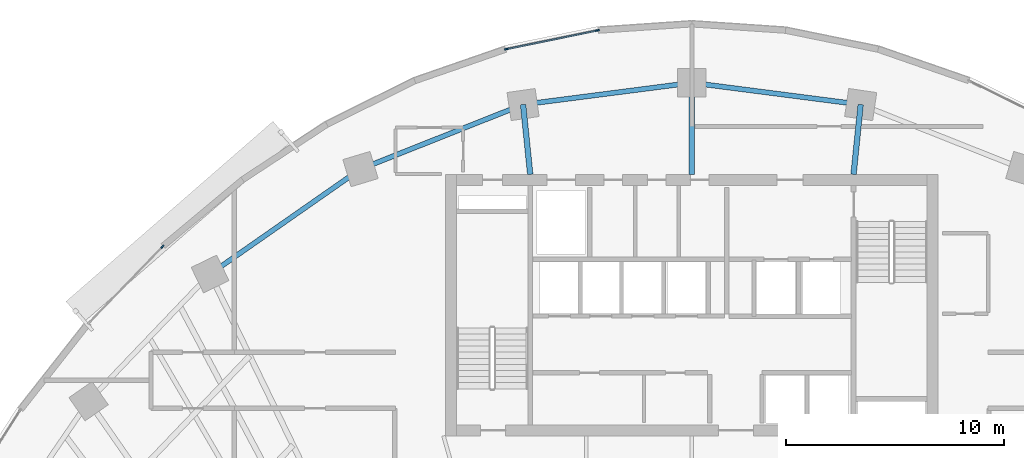
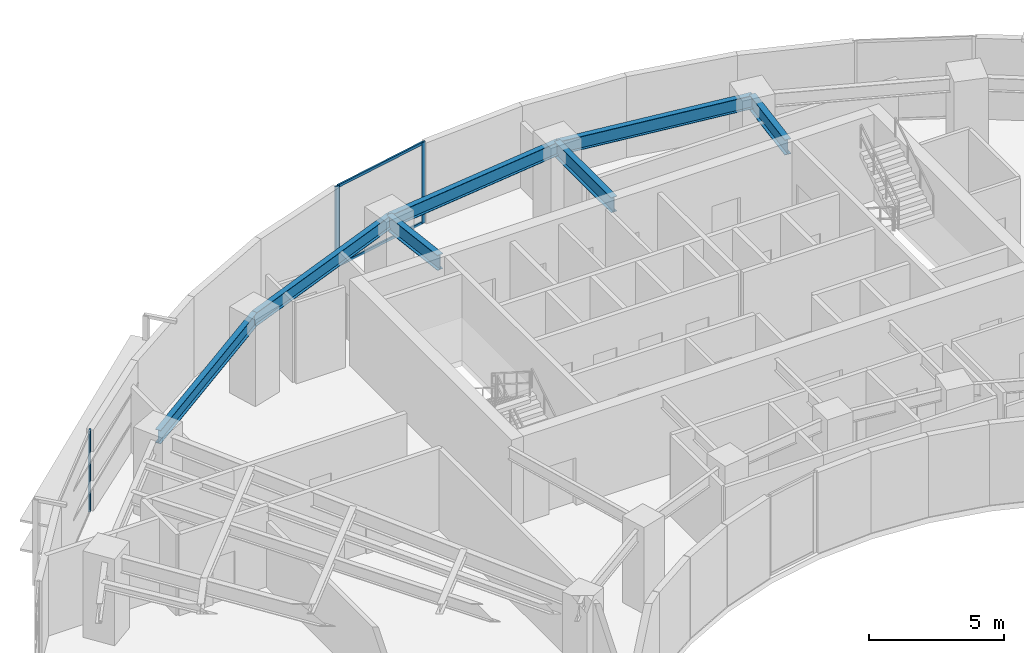
# One storey, part 5 of 14: 7 beams, 5 members, 2 elements without a shape of their own.
"""IFC4 building model written with IfcOpenShell, lengths in metres."""

from ifc_helpers import new_model, si_unit, direction, frame, origin, origin_2d, place, context, subcontext, project, spatial, rectangle, i_section, extrude, source, transform, mapped, material, layer, layer_set, material_profile, profile_set, type_object, element, aggregate, save


model = new_model("IFC4")

# Units and contexts
model_context = context("Model", 3, precision=1e-05, world=origin(), true_north=direction((0.0, 1.0)))
body_context = subcontext(model_context, "Body", "Model", "MODEL_VIEW")
ifc_project = project(units=[si_unit("LENGTHUNIT", "METRE"), si_unit("AREAUNIT", "SQUARE_METRE"), si_unit("VOLUMEUNIT", "CUBIC_METRE"), si_unit("PLANEANGLEUNIT", "RADIAN"), si_unit("MASSUNIT", "GRAM", prefix="KILO")], contexts=[model_context])

# Site, building, storey
site_placement = place(None, origin())
site = spatial("IfcSite", under=ifc_project, at=site_placement, CompositionType="ELEMENT")
building_placement = place(site_placement, origin())
building = spatial("IfcBuilding", under=site, at=building_placement, Name="Breltana Convention Tower", CompositionType="ELEMENT")
storey_placement = place(building_placement, frame((0.0, 0.0, 115.5)))
storey = spatial("IfcBuildingStorey", under=building, at=storey_placement, Name="L27", CompositionType="ELEMENT", Elevation=115.5)

# Beams
ifc_material_1 = material(Name="Steel ASTM A992 Grade 50", Category="steel")
ifc_material_profile_1 = material_profile(ifc_material_1, i_section(OverallWidth=0.25390625, OverallDepth=0.68798828125, WebThickness=0.01318359375, FlangeThickness=0.02099609375, at=origin_2d()), Name="W27X102")
ifc_profile_set_1 = profile_set([ifc_material_profile_1], Name="Steel ASTM A992 Grade 50")
beam_type_1 = type_object("IfcBeamType", Name="BM-RG-W27X102", PredefinedType="USERDEFINED", material=ifc_profile_set_1)
shared_shape_1 = source(origin(), body_context, "Body", "SweptSolid", [
    extrude(i_section(OverallWidth=0.25390625, OverallDepth=0.68798828125, WebThickness=0.01318359375, FlangeThickness=0.02099609375, at=origin_2d()), origin(), (0.0, 0.0, 1.0), 3.220947265625),
])
for number, where, z_axis, x_axis, name in (
    (1, (40.580078125, 72.199951171875, 3.305908203125), (-0.101492254858, 0.994836329355, 0.0), (-0.994836329355, -0.101492254858, 0.0), "L27 North Core Radial Girder R05"),
    (2, (55.419921875, 72.199951171875, 3.305908203125), (0.101492254858, 0.994836329355, 0.0), (-0.994836329355, 0.101492254858, 0.0), "L27 North Core Radial Girder R07"),
):
    element("IfcBeam", number, at=place(storey_placement, frame(where, z_axis=z_axis, x_axis=x_axis)), inside=storey, type_object=beam_type_1, Name=name, ObjectType="GIRDER", PredefinedType="USERDEFINED", context=body_context, shape_type="MappedRepresentation", body=[
        mapped(shared_shape_1, transform((0.0, 0.0, 0.0), scale=1.0)),
    ])
shared_shape_2 = source(origin(), body_context, "Body", "SweptSolid", [
    extrude(i_section(OverallWidth=0.25390625, OverallDepth=0.68798828125, WebThickness=0.01318359375, FlangeThickness=0.02099609375, at=origin_2d()), origin(), (0.0, 0.0, 1.0), 4.2041015625),
])
beam_1_placement = place(storey_placement, frame((48.0, 72.199951171875, 3.305908203125), z_axis=(0.0, 1.0, 0.0), x_axis=(-1.0, 0.0, 0.0)))
element("IfcBeam", 3, at=beam_1_placement, inside=storey, type_object=beam_type_1, Name="L27 North Core Radial Girder R06", ObjectType="GIRDER", PredefinedType="USERDEFINED", context=body_context, shape_type="MappedRepresentation", body=[
    mapped(shared_shape_2, transform((0.0, 0.0, 0.0), scale=1.0)),
])
ifc_material_profile_2 = material_profile(ifc_material_1, i_section(OverallWidth=0.22802734375, OverallDepth=0.60791015625, WebThickness=0.01123046875, FlangeThickness=0.017333984375, at=origin_2d()), Name="W24X76")
ifc_profile_set_2 = profile_set([ifc_material_profile_2], Name="Steel ASTM A992 Grade 50")
beam_type_2 = type_object("IfcBeamType", Name="BM-SP-W24X76", PredefinedType="SPANDREL", material=ifc_profile_set_2)
shared_shape_3 = source(origin(), body_context, "Body", "SweptSolid", [
    extrude(i_section(OverallWidth=0.22802734375, OverallDepth=0.60791015625, WebThickness=0.01123046875, FlangeThickness=0.017333984375, at=origin_2d()), origin(), (0.0, 0.0, 1.0), 8.4169921875),
])
beam_2_placement = place(storey_placement, frame((25.8876953125, 67.626953125, 3.345947265625), z_axis=(0.820173800102, 0.572114444519, 0.0), x_axis=(-0.572114444519, 0.820173800102, 0.0)))
element("IfcBeam", 4, at=beam_2_placement, inside=storey, type_object=beam_type_2, Name="L27 Outer Spandrel Beam 03", PredefinedType="SPANDREL", context=body_context, shape_type="MappedRepresentation", body=[
    mapped(shared_shape_3, transform((0.0, 0.0, 0.0), scale=1.0)),
])
shared_shape_4 = source(origin(), body_context, "Body", "SweptSolid", [
    extrude(i_section(OverallWidth=0.22802734375, OverallDepth=0.60791015625, WebThickness=0.01123046875, FlangeThickness=0.017333984375, at=origin_2d()), origin(), (0.0, 0.0, 1.0), 8.028564453125),
])
beam_3_placement = place(storey_placement, frame((32.791015625, 72.4423828125, 3.345947265625), z_axis=(0.929459100394, 0.368925169507, 0.0), x_axis=(-0.368925169507, 0.929459100394, 0.0)))
element("IfcBeam", 5, at=beam_3_placement, inside=storey, type_object=beam_type_2, Name="L27 Outer Spandrel Beam 04", PredefinedType="SPANDREL", context=body_context, shape_type="MappedRepresentation", body=[
    mapped(shared_shape_4, transform((0.0, 0.0, 0.0), scale=1.0)),
])
shared_shape_5 = source(origin(), body_context, "Body", "SweptSolid", [
    extrude(i_section(OverallWidth=0.22802734375, OverallDepth=0.60791015625, WebThickness=0.01123046875, FlangeThickness=0.017333984375, at=origin_2d()), origin(), (0.0, 0.0, 1.0), 7.81103515625),
])
for number, where, z_axis, x_axis, name in (
    (6, (40.253173828125, 75.404296875, 3.345947265625), (0.991775179127, 0.127992164083, 0.0), (-0.127992164083, 0.991775179127, 0.0), "L27 Outer Spandrel Beam 05"),
    (7, (48.0, 76.404052734375, 3.345947265625), (0.991775179127, -0.127992164083, 0.0), (0.127992164083, 0.991775179127, 0.0), "L27 Outer Spandrel Beam 06"),
):
    element("IfcBeam", number, at=place(storey_placement, frame(where, z_axis=z_axis, x_axis=x_axis)), inside=storey, type_object=beam_type_2, Name=name, PredefinedType="SPANDREL", context=body_context, shape_type="MappedRepresentation", body=[
        mapped(shared_shape_5, transform((0.0, 0.0, 0.0), scale=1.0)),
    ])

# Curtain wall, member
ifc_material_2 = material(Name="Aluminium Anodised Bronze Frame", Category="aluminium")
ifc_layer = layer(ifc_material_2, 0.22998046875, Name="Aluminium Anodised Bronze Frame")
ifc_layer_set = layer_set([ifc_layer], Name="Aluminium Anodised Bronze Frame")
curtain_wall_type = type_object("IfcCurtainWallType", Name="CW-SYS-5", PredefinedType="NOTDEFINED", material=ifc_layer_set)
curtain_wall_1_placement = place(storey_placement, origin())
curtain_wall_1 = element("IfcCurtainWall", 8, at=curtain_wall_1_placement, inside=storey, type_object=curtain_wall_type, Name="L27 outer double-skin inner glazing 2", PredefinedType="NOTDEFINED")
ifc_material_3 = material(Name="Aluminium Anodised Bronze", Category="aluminium")
ifc_material_profile_3 = material_profile(ifc_material_3, rectangle(XDim=0.070068359375, YDim=0.175048828125, at=origin_2d()), Name="CWM-70X175")
ifc_profile_set_3 = profile_set([ifc_material_profile_3], Name="Aluminium Anodised Bronze")
member_type_1 = type_object("IfcMemberType", Name="CWM-175", PredefinedType="MULLION", material=ifc_profile_set_3)
shared_shape_6 = source(origin(), body_context, "Body", "SweptSolid", [
    extrude(rectangle(XDim=0.070068359375, YDim=0.175048828125, at=origin_2d()), origin(), (0.0, 0.0, 1.0), 3.64990234375),
])
member_1_placement = place(storey_placement, frame((23.700439453125, 68.88232421875, 0.0), z_axis=(0.0, 0.0, 1.0), x_axis=(-0.719384961558, 0.694611601605, 0.0)))
member_1 = element("IfcMember", 9, at=member_1_placement, type_object=member_type_1, Name="CW-05 mullion 2", PredefinedType="MULLION", context=body_context, shape_type="MappedRepresentation", body=[
    mapped(shared_shape_6, transform((0.0, 0.0, 0.0), scale=1.0)),
])
aggregate(curtain_wall_1, [member_1])

# Curtain wall, members
curtain_wall_2_placement = place(storey_placement, origin())
curtain_wall_2 = element("IfcCurtainWall", 10, at=curtain_wall_2_placement, inside=storey, type_object=curtain_wall_type, Name="L27 outer double-skin inner glazing 3", PredefinedType="NOTDEFINED")
member_2_placement = place(storey_placement, frame((39.486083984375, 77.947998046875, 0.0), z_axis=(0.0, 0.0, 1.0), x_axis=(-0.200858550415, 0.979620254346, 0.0)))
member_2 = element("IfcMember", 11, at=member_2_placement, type_object=member_type_1, Name="CW-05 mullion 1", PredefinedType="MULLION", context=body_context, shape_type="MappedRepresentation", body=[
    mapped(shared_shape_6, transform((0.0, 0.0, 0.0), scale=1.0)),
])
member_3_placement = place(storey_placement, frame((43.669921875, 78.805908203125, 0.0), z_axis=(0.0, 0.0, 1.0), x_axis=(-0.200858550415, 0.979620254346, 0.0)))
member_3 = element("IfcMember", 12, at=member_3_placement, type_object=member_type_1, Name="CW-05 mullion 2", PredefinedType="MULLION", context=body_context, shape_type="MappedRepresentation", body=[
    mapped(shared_shape_6, transform((0.0, 0.0, 0.0), scale=1.0)),
])
ifc_material_profile_4 = material_profile(ifc_material_3, rectangle(XDim=0.070068359375, YDim=0.1201171875, at=origin_2d()), Name="CWT-70X120")
ifc_profile_set_4 = profile_set([ifc_material_profile_4], Name="Aluminium Anodised Bronze")
member_type_2 = type_object("IfcMemberType", Name="CWT-120", PredefinedType="USERDEFINED", material=ifc_profile_set_4)
shared_shape_7 = source(origin(), body_context, "Body", "SweptSolid", [
    extrude(rectangle(XDim=0.070068359375, YDim=0.1201171875, at=origin_2d()), origin(), (0.0, 0.0, 1.0), 4.200927734375),
])
member_4_placement = place(storey_placement, frame((39.520263671875, 77.955078125, 0.034912109375), z_axis=(0.979621469833, 0.200852622196, 0.0), x_axis=(-0.200852622196, 0.979621469833, 0.0)))
member_4 = element("IfcMember", 13, at=member_4_placement, type_object=member_type_2, Name="CW-05 transom 1.1", ObjectType="TRANSOM", PredefinedType="USERDEFINED", context=body_context, shape_type="MappedRepresentation", body=[
    mapped(shared_shape_7, transform((0.0, 0.0, 0.0), scale=1.0)),
])
member_5_placement = place(storey_placement, frame((39.520263671875, 77.955078125, 3.614990234375), z_axis=(0.979621469833, 0.200852622196, 0.0), x_axis=(-0.200852622196, 0.979621469833, 0.0)))
member_5 = element("IfcMember", 14, at=member_5_placement, type_object=member_type_2, Name="CW-05 transom 1.2", ObjectType="TRANSOM", PredefinedType="USERDEFINED", context=body_context, shape_type="MappedRepresentation", body=[
    mapped(shared_shape_7, transform((0.0, 0.0, 0.0), scale=1.0)),
])
aggregate(curtain_wall_2, [member_2, member_3, member_4, member_5])

save(model, "model.ifc")
